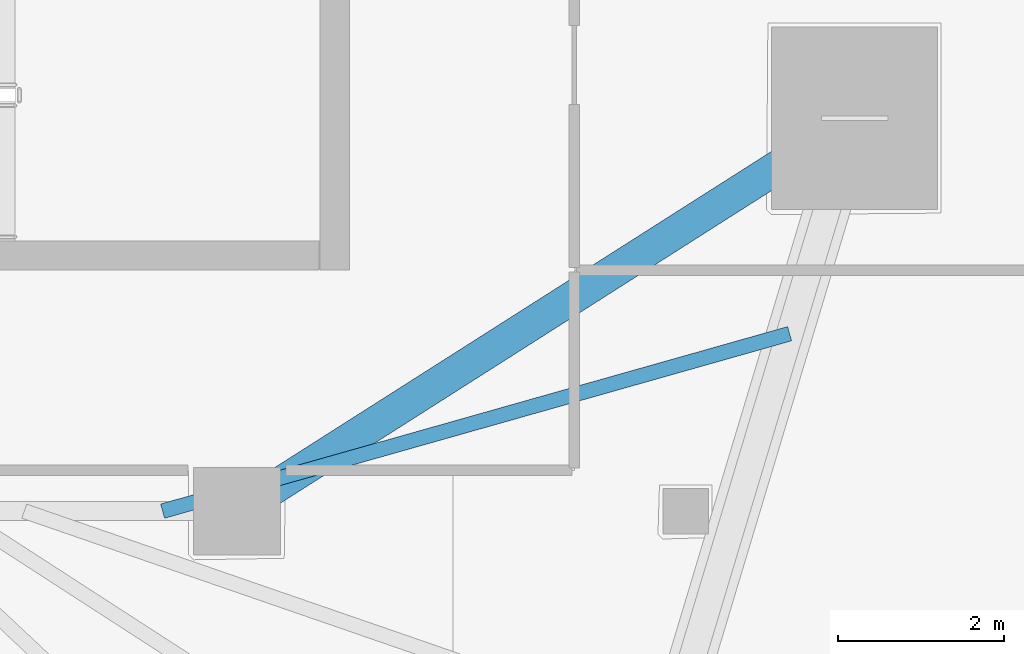
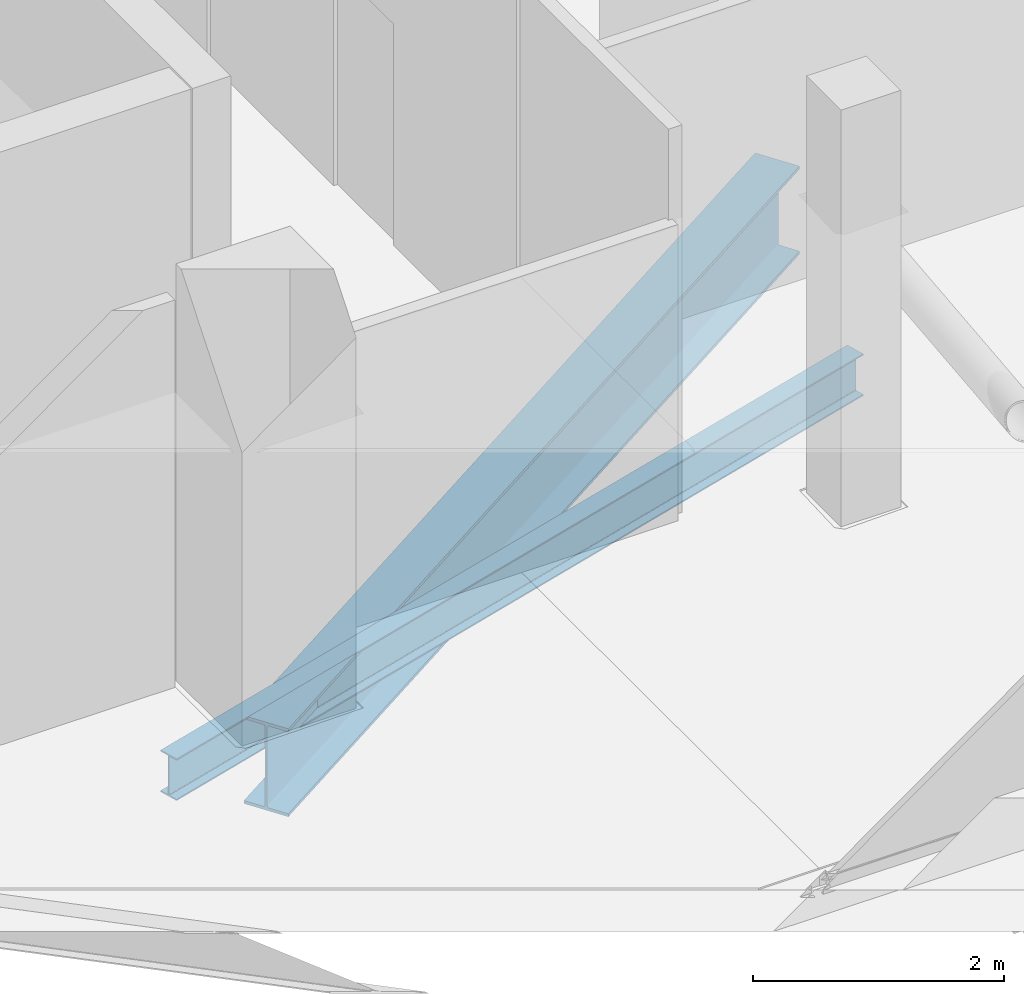
# One storey, part 12 of 39: 2 beams.
"""IFC4 building model written with IfcOpenShell, lengths in metres."""

from ifc_helpers import new_model, si_unit, direction, frame, origin, origin_2d, place, context, subcontext, project, spatial, i_section, extrude, material, material_profile, profile_set, type_object, element, save


model = new_model("IFC4")

# Units and contexts
model_context = context("Model", 3, precision=1e-05, world=origin(), true_north=direction((0.0, 1.0)))
body_context = subcontext(model_context, "Body", "Model", "MODEL_VIEW")
ifc_project = project(units=[si_unit("LENGTHUNIT", "METRE"), si_unit("AREAUNIT", "SQUARE_METRE"), si_unit("VOLUMEUNIT", "CUBIC_METRE"), si_unit("PLANEANGLEUNIT", "RADIAN"), si_unit("MASSUNIT", "GRAM", prefix="KILO")], contexts=[model_context])

# Site, building, storey
site_placement = place(None, origin())
site = spatial("IfcSite", under=ifc_project, at=site_placement, CompositionType="ELEMENT")
building_placement = place(site_placement, origin())
building = spatial("IfcBuilding", under=site, at=building_placement, Name="Qorvath Tower", CompositionType="ELEMENT")
storey_placement = place(building_placement, frame((0.0, 0.0, 154.35009765625)))
storey = spatial("IfcBuildingStorey", under=building, at=storey_placement, Name="L35", CompositionType="ELEMENT", Elevation=154.35009765625)

# Beams
ifc_material_1 = material(Name="Steel ASTM A992 Grade 50", Category="steel")
ifc_material_profile_1 = material_profile(ifc_material_1, i_section(OverallWidth=0.39892578125, OverallDepth=0.85498046875, WebThickness=0.018310546875, FlangeThickness=0.029296875, FilletRadius=0.02001953125, at=origin_2d()), Name="W33x201")
ifc_profile_set_1 = profile_set([ifc_material_profile_1], Name="Steel ASTM A992 Grade 50")
beam_type_1 = type_object("IfcBeamType", Name="BM-FG2", PredefinedType="BEAM", material=ifc_profile_set_1)
beam_1_placement = place(storey_placement, frame((-17.199951171875, -11.449951171875, -0.697509765625), z_axis=(0.843634090834, 0.536918542037, 0.0), x_axis=(-0.536918542037, 0.843634090834, 0.0)))
element("IfcBeam", 1, at=beam_1_placement, inside=storey, type_object=beam_type_1, Name="Radial Floor Girder CC3-MC4 L35", PredefinedType="BEAM", context=body_context, shape_type="SweptSolid", body=[
    extrude(i_section(OverallWidth=0.39892578125, OverallDepth=0.85498046875, WebThickness=0.018310546875, FlangeThickness=0.029296875, FilletRadius=0.02001953125, at=origin_2d()), origin(), (0.0, 0.0, 1.0), 8.806884765625),
])
ifc_material_2 = material(Name="Steel ASTM A992 Grade 50", Category="steel")
ifc_material_profile_2 = material_profile(ifc_material_2, i_section(OverallWidth=0.177978515625, OverallDepth=0.406005859375, WebThickness=0.0078125, FlangeThickness=0.0126953125, FilletRadius=0.010986328125, at=origin_2d()), Name="W16x40")
ifc_profile_set_2 = profile_set([ifc_material_profile_2], Name="Steel ASTM A992 Grade 50")
beam_type_2 = type_object("IfcBeamType", Name="BM-FJ3", PredefinedType="JOIST", material=ifc_profile_set_2)
beam_2_placement = place(storey_placement, frame((-18.095947265625, -11.449951171875, -0.472900390625), z_axis=(0.962222206221, 0.272265359264, 0.0), x_axis=(-0.272265359264, 0.962222206221, 0.0)))
element("IfcBeam", 2, at=beam_2_placement, inside=storey, type_object=beam_type_2, Name="Composite Floor Joist SE1 L35", PredefinedType="JOIST", context=body_context, shape_type="SweptSolid", body=[
    extrude(i_section(OverallWidth=0.177978515625, OverallDepth=0.406005859375, WebThickness=0.0078125, FlangeThickness=0.0126953125, FilletRadius=0.010986328125, at=origin_2d()), origin(), (0.0, 0.0, 1.0), 7.841552734375),
])

save(model, "model.ifc")
